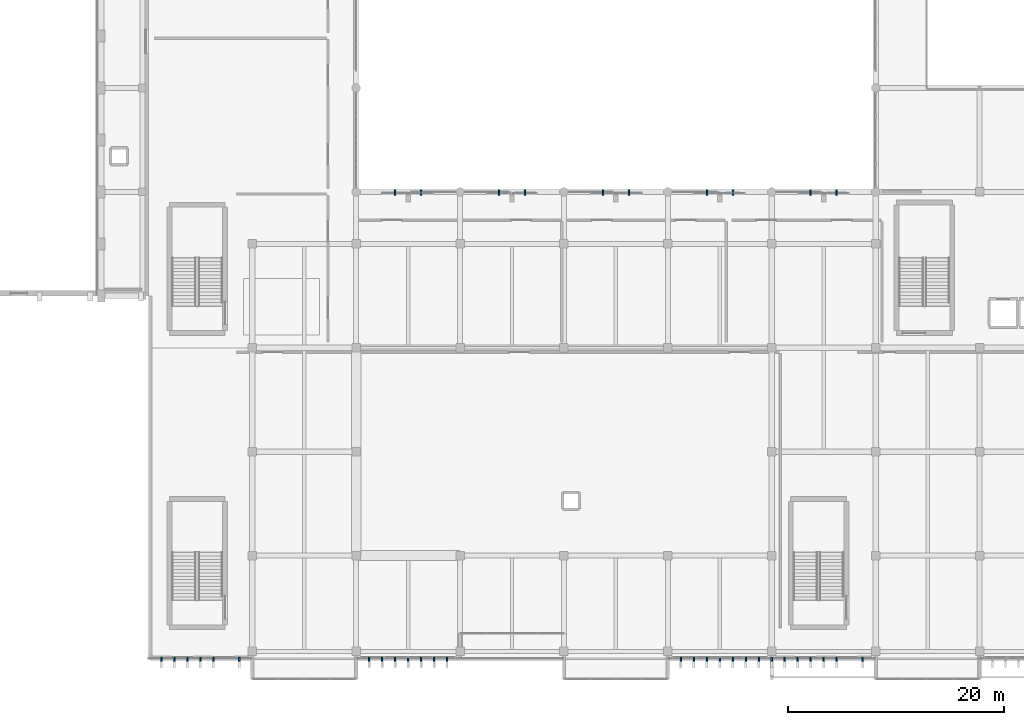
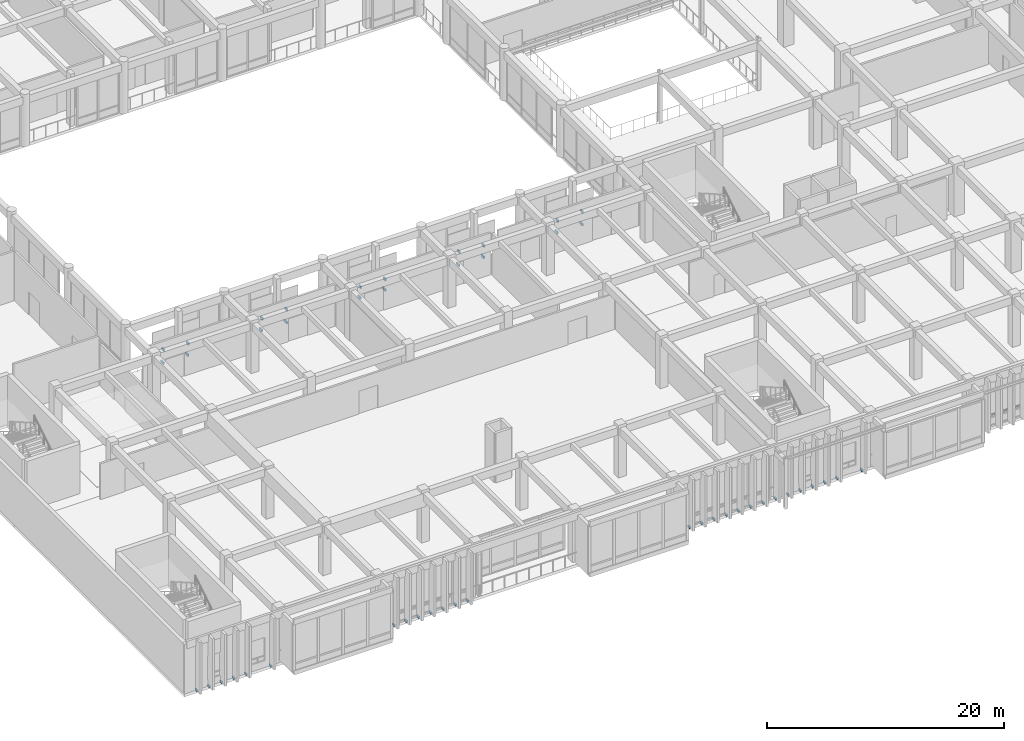
# One storey, part 112 of 134: 47 discrete accessories.
"""IFC4 building model written with IfcOpenShell, lengths in metres."""

from ifc_helpers import new_model, si_unit, direction, frame, origin, origin_2d, place, context, subcontext, project, spatial, rectangle, extrude, material, type_object, element, save


model = new_model("IFC4")

# Units and contexts
model_context = context("Model", 3, precision=1e-05, world=origin(), true_north=direction((0.0, 1.0)))
body_context = subcontext(model_context, "Body", "Model", "MODEL_VIEW")
ifc_project = project(units=[si_unit("LENGTHUNIT", "METRE"), si_unit("AREAUNIT", "SQUARE_METRE"), si_unit("VOLUMEUNIT", "CUBIC_METRE"), si_unit("PLANEANGLEUNIT", "RADIAN"), si_unit("MASSUNIT", "GRAM", prefix="KILO")], contexts=[model_context])

# Site, building, storey
site_placement = place(None, origin())
site = spatial("IfcSite", under=ifc_project, at=site_placement, CompositionType="ELEMENT")
building_placement = place(site_placement, origin())
building = spatial("IfcBuilding", under=site, at=building_placement, Name="Nakhvara Creek Congress Hotel", CompositionType="ELEMENT")
storey_placement = place(building_placement, frame((0.0, 0.0, 6.0)))
storey = spatial("IfcBuildingStorey", under=building, at=storey_placement, Name="L01", CompositionType="ELEMENT", Elevation=6.0)

# Discrete accessories
ifc_material = material(Name="Brushed stainless steel 316L", Category="steel")
discrete_accessory_type = type_object("IfcDiscreteAccessoryType", Name="ACC-BRK-SS316", PredefinedType="BRACKET", material=ifc_material)
for number, where, z_axis, x_axis, name in (
    (1, (58.800048828125, 0.02001953125, -0.10986328125), (0.0, 0.0, 1.0), (1.0, 0.0, 0.0), "Stainless Fin Bracket BK01-0148"),
    (2, (60.0, 0.02001953125, -0.10986328125), (0.0, 0.0, 1.0), (1.0, 0.0, 0.0), "Stainless Fin Bracket BK01-0149"),
    (3, (61.199951171875, 0.02001953125, -0.10986328125), (0.0, 0.0, 1.0), (1.0, 0.0, 0.0), "Stainless Fin Bracket BK01-0150"),
    (4, (62.39990234375, 0.02001953125, -0.10986328125), (0.0, 0.0, 1.0), (1.0, 0.0, 0.0), "Stainless Fin Bracket BK01-0151"),
    (5, (63.60009765625, 0.02001953125, -0.10986328125), (0.0, 0.0, 1.0), (1.0, 0.0, 0.0), "Stainless Fin Bracket BK01-0152"),
    (6, (66.0, 0.02001953125, -0.10986328125), (0.0, 0.0, 1.0), (1.0, 0.0, 0.0), "Stainless Fin Bracket BK01-0153"),
    (7, (78.0, 0.02001953125, -0.10986328125), (0.0, 0.0, 1.0), (1.0, 0.0, 0.0), "Stainless Fin Bracket BK01-0154"),
    (8, (79.199951171875, 0.02001953125, -0.10986328125), (0.0, 0.0, 1.0), (1.0, 0.0, 0.0), "Stainless Fin Bracket BK01-0155"),
    (9, (80.39990234375, 0.02001953125, -0.10986328125), (0.0, 0.0, 1.0), (1.0, 0.0, 0.0), "Stainless Fin Bracket BK01-0156"),
    (10, (81.60009765625, 0.02001953125, -0.10986328125), (0.0, 0.0, 1.0), (1.0, 0.0, 0.0), "Stainless Fin Bracket BK01-0157"),
    (11, (82.800048828125, 0.02001953125, -0.10986328125), (0.0, 0.0, 1.0), (1.0, 0.0, 0.0), "Stainless Fin Bracket BK01-0158"),
    (12, (84.0, 0.02001953125, -0.10986328125), (0.0, 0.0, 1.0), (1.0, 0.0, 0.0), "Stainless Fin Bracket BK01-0159"),
    (13, (85.199951171875, 0.02001953125, -0.10986328125), (0.0, 0.0, 1.0), (1.0, 0.0, 0.0), "Stainless Fin Bracket BK01-0160"),
    (14, (106.800048828125, 0.02001953125, -0.10986328125), (0.0, 0.0, 1.0), (1.0, 0.0, 0.0), "Stainless Fin Bracket BK01-0161"),
    (15, (108.0, 0.02001953125, -0.10986328125), (0.0, 0.0, 1.0), (1.0, 0.0, 0.0), "Stainless Fin Bracket BK01-0162"),
    (16, (109.199951171875, 0.02001953125, -0.10986328125), (0.0, 0.0, 1.0), (1.0, 0.0, 0.0), "Stainless Fin Bracket BK01-0163"),
    (17, (110.39990234375, 0.02001953125, -0.10986328125), (0.0, 0.0, 1.0), (1.0, 0.0, 0.0), "Stainless Fin Bracket BK01-0164"),
    (18, (111.60009765625, 0.02001953125, -0.10986328125), (0.0, 0.0, 1.0), (1.0, 0.0, 0.0), "Stainless Fin Bracket BK01-0165"),
    (19, (112.800048828125, 0.02001953125, -0.10986328125), (0.0, 0.0, 1.0), (1.0, 0.0, 0.0), "Stainless Fin Bracket BK01-0166"),
    (20, (114.0, 0.02001953125, -0.10986328125), (0.0, 0.0, 1.0), (1.0, 0.0, 0.0), "Stainless Fin Bracket BK01-0167"),
    (21, (115.199951171875, 0.02001953125, -0.10986328125), (0.0, 0.0, 1.0), (1.0, 0.0, 0.0), "Stainless Fin Bracket BK01-0168"),
    (22, (116.39990234375, 0.02001953125, -0.10986328125), (0.0, 0.0, 1.0), (1.0, 0.0, 0.0), "Stainless Fin Bracket BK01-0169"),
    (23, (117.60009765625, 0.02001953125, -0.10986328125), (0.0, 0.0, 1.0), (1.0, 0.0, 0.0), "Stainless Fin Bracket BK01-0170"),
    (24, (118.800048828125, 0.02001953125, -0.10986328125), (0.0, 0.0, 1.0), (1.0, 0.0, 0.0), "Stainless Fin Bracket BK01-0171"),
    (25, (120.0, 0.02001953125, -0.10986328125), (0.0, 0.0, 1.0), (1.0, 0.0, 0.0), "Stainless Fin Bracket BK01-0172"),
    (26, (121.199951171875, 0.02001953125, -0.10986328125), (0.0, 0.0, 1.0), (1.0, 0.0, 0.0), "Stainless Fin Bracket BK01-0173"),
    (27, (123.60009765625, 0.02001953125, -0.10986328125), (0.0, 0.0, 1.0), (1.0, 0.0, 0.0), "Stainless Fin Bracket BK01-0174"),
):
    element("IfcDiscreteAccessory", number, at=place(storey_placement, frame(where, z_axis=z_axis, x_axis=x_axis)), inside=storey, type_object=discrete_accessory_type, Name=name, PredefinedType="BRACKET", context=body_context, shape_type="SweptSolid", body=[
        extrude(rectangle(XDim=0.139892578125, YDim=0.360107421875, at=origin_2d()), origin(), (0.0, 0.0, 1.0), 0.179931640625),
    ])
discrete_accessory_1_placement = place(storey_placement, frame((80.39990234375, 43.179931640625, -0.10986328125), z_axis=(0.0, 0.0, 1.0), x_axis=(1.0, 0.0, 0.0)))
element("IfcDiscreteAccessory", 28, at=discrete_accessory_1_placement, inside=storey, type_object=discrete_accessory_type, Name="Mashrabiya Spandrel Bracket 001A", PredefinedType="BRACKET", context=body_context, shape_type="SweptSolid", body=[
    extrude(rectangle(XDim=0.139892578125, YDim=0.43994140625, at=origin_2d()), origin(), (0.0, 0.0, 1.0), 0.239990234375),
])
discrete_accessory_2_placement = place(storey_placement, frame((80.39990234375, 43.080078125, 1.2900390625), z_axis=(0.0, 0.0, 1.0), x_axis=(1.0, 0.0, 0.0)))
element("IfcDiscreteAccessory", 29, at=discrete_accessory_2_placement, inside=storey, type_object=discrete_accessory_type, Name="Mashrabiya Screen Coupling Bracket 001B", PredefinedType="BRACKET", context=body_context, shape_type="SweptSolid", body=[
    extrude(rectangle(XDim=0.139892578125, YDim=0.360107421875, at=origin_2d()), origin(), (0.0, 0.0, 1.0), 0.239990234375),
])
discrete_accessory_3_placement = place(storey_placement, frame((82.800048828125, 43.179931640625, -0.10986328125), z_axis=(0.0, 0.0, 1.0), x_axis=(1.0, 0.0, 0.0)))
element("IfcDiscreteAccessory", 30, at=discrete_accessory_3_placement, inside=storey, type_object=discrete_accessory_type, Name="Mashrabiya Spandrel Bracket 002A", PredefinedType="BRACKET", context=body_context, shape_type="SweptSolid", body=[
    extrude(rectangle(XDim=0.139892578125, YDim=0.43994140625, at=origin_2d()), origin(), (0.0, 0.0, 1.0), 0.239990234375),
])
discrete_accessory_4_placement = place(storey_placement, frame((82.800048828125, 43.080078125, 1.08984375), z_axis=(0.0, 0.0, 1.0), x_axis=(1.0, 0.0, 0.0)))
element("IfcDiscreteAccessory", 31, at=discrete_accessory_4_placement, inside=storey, type_object=discrete_accessory_type, Name="Mashrabiya Screen Coupling Bracket 002B", PredefinedType="BRACKET", context=body_context, shape_type="SweptSolid", body=[
    extrude(rectangle(XDim=0.139892578125, YDim=0.360107421875, at=origin_2d()), origin(), (0.0, 0.0, 1.0), 0.239990234375),
])
discrete_accessory_5_placement = place(storey_placement, frame((90.0, 43.179931640625, -0.10986328125), z_axis=(0.0, 0.0, 1.0), x_axis=(1.0, 0.0, 0.0)))
element("IfcDiscreteAccessory", 32, at=discrete_accessory_5_placement, inside=storey, type_object=discrete_accessory_type, Name="Mashrabiya Spandrel Bracket 003A", PredefinedType="BRACKET", context=body_context, shape_type="SweptSolid", body=[
    extrude(rectangle(XDim=0.139892578125, YDim=0.43994140625, at=origin_2d()), origin(), (0.0, 0.0, 1.0), 0.239990234375),
])
discrete_accessory_6_placement = place(storey_placement, frame((90.0, 43.080078125, 1.14013671875), z_axis=(0.0, 0.0, 1.0), x_axis=(1.0, 0.0, 0.0)))
element("IfcDiscreteAccessory", 33, at=discrete_accessory_6_placement, inside=storey, type_object=discrete_accessory_type, Name="Mashrabiya Screen Coupling Bracket 003B", PredefinedType="BRACKET", context=body_context, shape_type="SweptSolid", body=[
    extrude(rectangle(XDim=0.139892578125, YDim=0.360107421875, at=origin_2d()), origin(), (0.0, 0.0, 1.0), 0.239990234375),
])
discrete_accessory_7_placement = place(storey_placement, frame((92.39990234375, 43.179931640625, -0.10986328125), z_axis=(0.0, 0.0, 1.0), x_axis=(1.0, 0.0, 0.0)))
element("IfcDiscreteAccessory", 34, at=discrete_accessory_7_placement, inside=storey, type_object=discrete_accessory_type, Name="Mashrabiya Spandrel Bracket 004A", PredefinedType="BRACKET", context=body_context, shape_type="SweptSolid", body=[
    extrude(rectangle(XDim=0.139892578125, YDim=0.43994140625, at=origin_2d()), origin(), (0.0, 0.0, 1.0), 0.239990234375),
])
discrete_accessory_8_placement = place(storey_placement, frame((92.39990234375, 43.080078125, 1.240234375), z_axis=(0.0, 0.0, 1.0), x_axis=(1.0, 0.0, 0.0)))
element("IfcDiscreteAccessory", 35, at=discrete_accessory_8_placement, inside=storey, type_object=discrete_accessory_type, Name="Mashrabiya Screen Coupling Bracket 004B", PredefinedType="BRACKET", context=body_context, shape_type="SweptSolid", body=[
    extrude(rectangle(XDim=0.139892578125, YDim=0.360107421875, at=origin_2d()), origin(), (0.0, 0.0, 1.0), 0.239990234375),
])
discrete_accessory_9_placement = place(storey_placement, frame((99.60009765625, 43.179931640625, -0.10986328125), z_axis=(0.0, 0.0, 1.0), x_axis=(1.0, 0.0, 0.0)))
element("IfcDiscreteAccessory", 36, at=discrete_accessory_9_placement, inside=storey, type_object=discrete_accessory_type, Name="Mashrabiya Spandrel Bracket 005A", PredefinedType="BRACKET", context=body_context, shape_type="SweptSolid", body=[
    extrude(rectangle(XDim=0.139892578125, YDim=0.43994140625, at=origin_2d()), origin(), (0.0, 0.0, 1.0), 0.239990234375),
])
discrete_accessory_10_placement = place(storey_placement, frame((99.60009765625, 43.080078125, 1.0400390625), z_axis=(0.0, 0.0, 1.0), x_axis=(1.0, 0.0, 0.0)))
element("IfcDiscreteAccessory", 37, at=discrete_accessory_10_placement, inside=storey, type_object=discrete_accessory_type, Name="Mashrabiya Screen Coupling Bracket 005B", PredefinedType="BRACKET", context=body_context, shape_type="SweptSolid", body=[
    extrude(rectangle(XDim=0.139892578125, YDim=0.360107421875, at=origin_2d()), origin(), (0.0, 0.0, 1.0), 0.239990234375),
])
discrete_accessory_11_placement = place(storey_placement, frame((102.0, 43.179931640625, -0.10986328125), z_axis=(0.0, 0.0, 1.0), x_axis=(1.0, 0.0, 0.0)))
element("IfcDiscreteAccessory", 38, at=discrete_accessory_11_placement, inside=storey, type_object=discrete_accessory_type, Name="Mashrabiya Spandrel Bracket 006A", PredefinedType="BRACKET", context=body_context, shape_type="SweptSolid", body=[
    extrude(rectangle(XDim=0.139892578125, YDim=0.43994140625, at=origin_2d()), origin(), (0.0, 0.0, 1.0), 0.239990234375),
])
discrete_accessory_12_placement = place(storey_placement, frame((102.0, 43.080078125, 0.990234375), z_axis=(0.0, 0.0, 1.0), x_axis=(1.0, 0.0, 0.0)))
element("IfcDiscreteAccessory", 39, at=discrete_accessory_12_placement, inside=storey, type_object=discrete_accessory_type, Name="Mashrabiya Screen Coupling Bracket 006B", PredefinedType="BRACKET", context=body_context, shape_type="SweptSolid", body=[
    extrude(rectangle(XDim=0.139892578125, YDim=0.360107421875, at=origin_2d()), origin(), (0.0, 0.0, 1.0), 0.239990234375),
])
discrete_accessory_13_placement = place(storey_placement, frame((109.199951171875, 43.179931640625, -0.10986328125), z_axis=(0.0, 0.0, 1.0), x_axis=(1.0, 0.0, 0.0)))
element("IfcDiscreteAccessory", 40, at=discrete_accessory_13_placement, inside=storey, type_object=discrete_accessory_type, Name="Mashrabiya Spandrel Bracket 007A", PredefinedType="BRACKET", context=body_context, shape_type="SweptSolid", body=[
    extrude(rectangle(XDim=0.139892578125, YDim=0.43994140625, at=origin_2d()), origin(), (0.0, 0.0, 1.0), 0.239990234375),
])
discrete_accessory_14_placement = place(storey_placement, frame((109.199951171875, 43.080078125, 1.2900390625), z_axis=(0.0, 0.0, 1.0), x_axis=(1.0, 0.0, 0.0)))
element("IfcDiscreteAccessory", 41, at=discrete_accessory_14_placement, inside=storey, type_object=discrete_accessory_type, Name="Mashrabiya Screen Coupling Bracket 007B", PredefinedType="BRACKET", context=body_context, shape_type="SweptSolid", body=[
    extrude(rectangle(XDim=0.139892578125, YDim=0.360107421875, at=origin_2d()), origin(), (0.0, 0.0, 1.0), 0.239990234375),
])
discrete_accessory_15_placement = place(storey_placement, frame((111.60009765625, 43.179931640625, -0.10986328125), z_axis=(0.0, 0.0, 1.0), x_axis=(1.0, 0.0, 0.0)))
element("IfcDiscreteAccessory", 42, at=discrete_accessory_15_placement, inside=storey, type_object=discrete_accessory_type, Name="Mashrabiya Spandrel Bracket 008A", PredefinedType="BRACKET", context=body_context, shape_type="SweptSolid", body=[
    extrude(rectangle(XDim=0.139892578125, YDim=0.43994140625, at=origin_2d()), origin(), (0.0, 0.0, 1.0), 0.239990234375),
])
discrete_accessory_16_placement = place(storey_placement, frame((111.60009765625, 43.080078125, 1.08984375), z_axis=(0.0, 0.0, 1.0), x_axis=(1.0, 0.0, 0.0)))
element("IfcDiscreteAccessory", 43, at=discrete_accessory_16_placement, inside=storey, type_object=discrete_accessory_type, Name="Mashrabiya Screen Coupling Bracket 008B", PredefinedType="BRACKET", context=body_context, shape_type="SweptSolid", body=[
    extrude(rectangle(XDim=0.139892578125, YDim=0.360107421875, at=origin_2d()), origin(), (0.0, 0.0, 1.0), 0.239990234375),
])
discrete_accessory_17_placement = place(storey_placement, frame((118.800048828125, 43.179931640625, -0.10986328125), z_axis=(0.0, 0.0, 1.0), x_axis=(1.0, 0.0, 0.0)))
element("IfcDiscreteAccessory", 44, at=discrete_accessory_17_placement, inside=storey, type_object=discrete_accessory_type, Name="Mashrabiya Spandrel Bracket 009A", PredefinedType="BRACKET", context=body_context, shape_type="SweptSolid", body=[
    extrude(rectangle(XDim=0.139892578125, YDim=0.43994140625, at=origin_2d()), origin(), (0.0, 0.0, 1.0), 0.239990234375),
])
discrete_accessory_18_placement = place(storey_placement, frame((118.800048828125, 43.080078125, 1.14013671875), z_axis=(0.0, 0.0, 1.0), x_axis=(1.0, 0.0, 0.0)))
element("IfcDiscreteAccessory", 45, at=discrete_accessory_18_placement, inside=storey, type_object=discrete_accessory_type, Name="Mashrabiya Screen Coupling Bracket 009B", PredefinedType="BRACKET", context=body_context, shape_type="SweptSolid", body=[
    extrude(rectangle(XDim=0.139892578125, YDim=0.360107421875, at=origin_2d()), origin(), (0.0, 0.0, 1.0), 0.239990234375),
])
discrete_accessory_19_placement = place(storey_placement, frame((121.199951171875, 43.179931640625, -0.10986328125), z_axis=(0.0, 0.0, 1.0), x_axis=(1.0, 0.0, 0.0)))
element("IfcDiscreteAccessory", 46, at=discrete_accessory_19_placement, inside=storey, type_object=discrete_accessory_type, Name="Mashrabiya Spandrel Bracket 010A", PredefinedType="BRACKET", context=body_context, shape_type="SweptSolid", body=[
    extrude(rectangle(XDim=0.139892578125, YDim=0.43994140625, at=origin_2d()), origin(), (0.0, 0.0, 1.0), 0.239990234375),
])
discrete_accessory_20_placement = place(storey_placement, frame((121.199951171875, 43.080078125, 1.240234375), z_axis=(0.0, 0.0, 1.0), x_axis=(1.0, 0.0, 0.0)))
element("IfcDiscreteAccessory", 47, at=discrete_accessory_20_placement, inside=storey, type_object=discrete_accessory_type, Name="Mashrabiya Screen Coupling Bracket 010B", PredefinedType="BRACKET", context=body_context, shape_type="SweptSolid", body=[
    extrude(rectangle(XDim=0.139892578125, YDim=0.360107421875, at=origin_2d()), origin(), (0.0, 0.0, 1.0), 0.239990234375),
])

save(model, "model.ifc")
